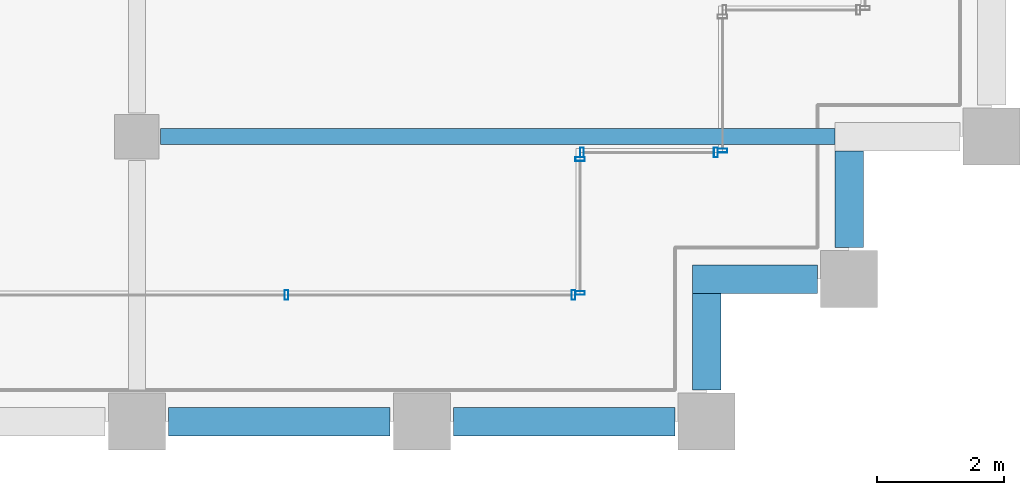
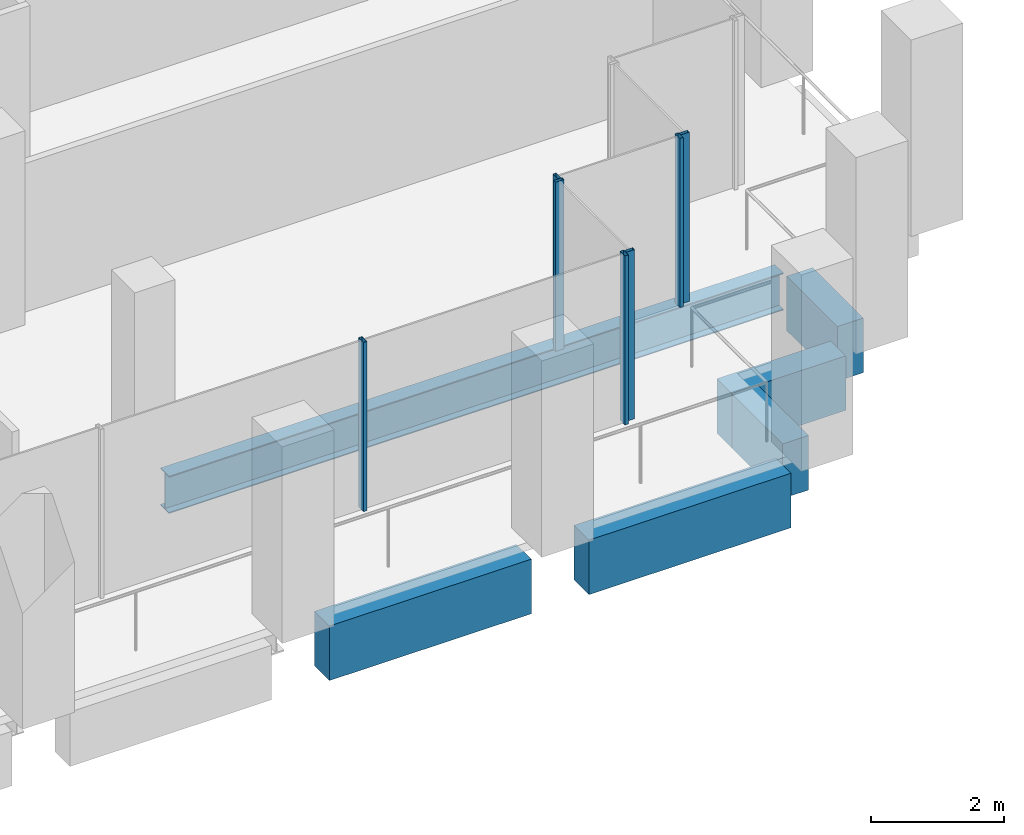
# One storey, part 12 of 44: 7 members, 6 beams, 4 elements without a shape of their own.
"""IFC4 building model written with IfcOpenShell, lengths in metres."""

from ifc_helpers import new_model, si_unit, direction, frame, origin, origin_2d, place, context, subcontext, project, spatial, rectangle, hollow_rectangle, i_section, extrude, material, material_profile, profile_set, type_object, element, aggregate, save


model = new_model("IFC4")

# Units and contexts
model_context = context("Model", 3, precision=1e-05, world=origin(), true_north=direction((0.0, 1.0)))
body_context = subcontext(model_context, "Body", "Model", "MODEL_VIEW")
ifc_project = project(units=[si_unit("LENGTHUNIT", "METRE"), si_unit("AREAUNIT", "SQUARE_METRE"), si_unit("VOLUMEUNIT", "CUBIC_METRE"), si_unit("PLANEANGLEUNIT", "RADIAN"), si_unit("MASSUNIT", "GRAM", prefix="KILO")], contexts=[model_context])

# Site, building, storey
site_placement = place(None, origin())
site = spatial("IfcSite", under=ifc_project, at=site_placement, CompositionType="ELEMENT")
building_placement = place(site_placement, origin())
building = spatial("IfcBuilding", under=site, at=building_placement, Name="Altepetl Exchange Towers", CompositionType="ELEMENT")
storey_placement = place(building_placement, frame((0.0, 0.0, 143.800048828125)))
storey = spatial("IfcBuildingStorey", under=building, at=storey_placement, Name="L35", CompositionType="ELEMENT", Elevation=143.800048828125)

# Beam
ifc_material_1 = material(Name="Steel S355", Category="steel")
ifc_material_profile_1 = material_profile(ifc_material_1, i_section(OverallWidth=0.25390625, OverallDepth=0.68408203125, WebThickness=0.012451171875, FlangeThickness=0.018798828125, at=origin_2d()), Name="W27X94")
ifc_profile_set_1 = profile_set([ifc_material_profile_1], Name="Steel S355")
beam_type_1 = type_object("IfcBeamType", Name="Floor beam W27X94", PredefinedType="BEAM", material=ifc_profile_set_1)
beam_1_placement = place(storey_placement, frame((58.875, 31.5, -0.491943359375), z_axis=(1.0, 0.0, 0.0), x_axis=(0.0, 1.0, 0.0)))
element("IfcBeam", 1, at=beam_1_placement, inside=storey, type_object=beam_type_1, Name="bm:A:L35:006", PredefinedType="BEAM", context=body_context, shape_type="SweptSolid", body=[
    extrude(i_section(OverallWidth=0.25390625, OverallDepth=0.68408203125, WebThickness=0.012451171875, FlangeThickness=0.018798828125, at=origin_2d()), origin(), (0.0, 0.0, 1.0), 10.64990234375),
])

# Curtain wall, members
ifc_material_2 = material(Name="Aluminium 6063-T6 glazing", Category="aluminium")
curtain_wall_type = type_object("IfcCurtainWallType", Name="Loggia glazing system", PredefinedType="NOTDEFINED", material=ifc_material_2)
curtain_wall_1_placement = place(storey_placement, origin())
curtain_wall_1 = element("IfcCurtainWall", 2, at=curtain_wall_1_placement, inside=storey, type_object=curtain_wall_type, Name="CW1 run", PredefinedType="NOTDEFINED")
ifc_material_3 = material(Name="Aluminium 6063-T6", Category="aluminium")
ifc_material_profile_2 = material_profile(ifc_material_3, hollow_rectangle(XDim=0.06005859375, YDim=0.14990234375, WallThickness=0.0029296875, at=origin_2d()), Name="Mullion 60x150 aluminium")
ifc_profile_set_2 = profile_set([ifc_material_profile_2], Name="Aluminium 6063-T6")
member_type = type_object("IfcMemberType", Name="Mullion 60x150 aluminium", PredefinedType="MULLION", material=ifc_profile_set_2)
member_1_placement = place(storey_placement, frame((60.8642578125, 29.0, 0.0)))
member_1 = element("IfcMember", 3, at=member_1_placement, type_object=member_type, Name="MU1 mullion", PredefinedType="MULLION", context=body_context, shape_type="SweptSolid", body=[
    extrude(hollow_rectangle(XDim=0.06005859375, YDim=0.14990234375, WallThickness=0.0029296875, at=origin_2d()), origin(), (0.0, 0.0, 1.0), 3.099853515625),
])
member_2_placement = place(storey_placement, frame((65.39501953125, 29.0, 0.0)))
member_2 = element("IfcMember", 4, at=member_2_placement, type_object=member_type, Name="MU1 mullion", PredefinedType="MULLION", context=body_context, shape_type="SweptSolid", body=[
    extrude(hollow_rectangle(XDim=0.06005859375, YDim=0.14990234375, WallThickness=0.0029296875, at=origin_2d()), origin(), (0.0, 0.0, 1.0), 3.099853515625),
])
aggregate(curtain_wall_1, [member_1, member_2])

curtain_wall_2_placement = place(storey_placement, origin())
curtain_wall_2 = element("IfcCurtainWall", 5, at=curtain_wall_2_placement, inside=storey, type_object=curtain_wall_type, Name="CW1 run", PredefinedType="NOTDEFINED")
member_3_placement = place(storey_placement, frame((65.5, 29.030029296875, 0.0), z_axis=(0.0, 0.0, 1.0), x_axis=(0.0, 1.0, 0.0)))
member_3 = element("IfcMember", 6, at=member_3_placement, type_object=member_type, Name="MU1 mullion", PredefinedType="MULLION", context=body_context, shape_type="SweptSolid", body=[
    extrude(hollow_rectangle(XDim=0.06005859375, YDim=0.14990234375, WallThickness=0.0029296875, at=origin_2d()), origin(), (0.0, 0.0, 1.0), 3.099853515625),
])
member_4_placement = place(storey_placement, frame((65.5, 31.14501953125, 0.0), z_axis=(0.0, 0.0, 1.0), x_axis=(0.0, 1.0, 0.0)))
member_4 = element("IfcMember", 7, at=member_4_placement, type_object=member_type, Name="MU1 mullion", PredefinedType="MULLION", context=body_context, shape_type="SweptSolid", body=[
    extrude(hollow_rectangle(XDim=0.06005859375, YDim=0.14990234375, WallThickness=0.0029296875, at=origin_2d()), origin(), (0.0, 0.0, 1.0), 3.099853515625),
])
aggregate(curtain_wall_2, [member_3, member_4])

curtain_wall_3_placement = place(storey_placement, origin())
curtain_wall_3 = element("IfcCurtainWall", 8, at=curtain_wall_3_placement, inside=storey, type_object=curtain_wall_type, Name="CW1 run", PredefinedType="NOTDEFINED")
member_5_placement = place(storey_placement, frame((65.530029296875, 31.25, 0.0)))
member_5 = element("IfcMember", 9, at=member_5_placement, type_object=member_type, Name="MU1 mullion", PredefinedType="MULLION", context=body_context, shape_type="SweptSolid", body=[
    extrude(hollow_rectangle(XDim=0.06005859375, YDim=0.14990234375, WallThickness=0.0029296875, at=origin_2d()), origin(), (0.0, 0.0, 1.0), 3.099853515625),
])
member_6_placement = place(storey_placement, frame((67.64501953125, 31.25, 0.0)))
member_6 = element("IfcMember", 10, at=member_6_placement, type_object=member_type, Name="MU1 mullion", PredefinedType="MULLION", context=body_context, shape_type="SweptSolid", body=[
    extrude(hollow_rectangle(XDim=0.06005859375, YDim=0.14990234375, WallThickness=0.0029296875, at=origin_2d()), origin(), (0.0, 0.0, 1.0), 3.099853515625),
])
aggregate(curtain_wall_3, [member_5, member_6])

# Curtain wall, member
curtain_wall_4_placement = place(storey_placement, origin())
curtain_wall_4 = element("IfcCurtainWall", 11, at=curtain_wall_4_placement, inside=storey, type_object=curtain_wall_type, Name="CW1 run", PredefinedType="NOTDEFINED")
member_7_placement = place(storey_placement, frame((67.75, 31.280029296875, 0.0), z_axis=(0.0, 0.0, 1.0), x_axis=(0.0, 1.0, 0.0)))
member_7 = element("IfcMember", 12, at=member_7_placement, type_object=member_type, Name="MU1 mullion", PredefinedType="MULLION", context=body_context, shape_type="SweptSolid", body=[
    extrude(hollow_rectangle(XDim=0.06005859375, YDim=0.14990234375, WallThickness=0.0029296875, at=origin_2d()), origin(), (0.0, 0.0, 1.0), 3.099853515625),
])
aggregate(curtain_wall_4, [member_7])

# Beams
ifc_material_4 = material(Name="Concrete C50/60 precast with cantera amarilla facing", Category="concrete")
ifc_material_profile_3 = material_profile(ifc_material_4, rectangle(XDim=0.449951171875, YDim=1.0, at=origin_2d()), Name="450 x 1000")
ifc_profile_set_3 = profile_set([ifc_material_profile_3], Name="Concrete C50/60 precast with cantera amarilla facing")
beam_type_2 = type_object("IfcBeamType", Name="Spandrel beam 450x1000 cantera amarilla", PredefinedType="SPANDREL", material=ifc_profile_set_3)
for number, where, z_axis, x_axis, name in (
    (13, (59.0, 27.0, -0.650146484375), (1.0, 0.0, 0.0), (0.0, 1.0, 0.0), "sp:A:L35:006"),
    (14, (63.5, 27.0, -0.650146484375), (1.0, 0.0, 0.0), (0.0, 1.0, 0.0), "sp:A:L35:007"),
):
    element("IfcBeam", number, at=place(storey_placement, frame(where, z_axis=z_axis, x_axis=x_axis)), inside=storey, type_object=beam_type_2, Name=name, PredefinedType="SPANDREL", context=body_context, shape_type="SweptSolid", body=[
        extrude(rectangle(XDim=0.449951171875, YDim=1.0, at=origin_2d()), origin(), (0.0, 0.0, 1.0), 3.5),
    ])
beam_2_placement = place(storey_placement, frame((67.5, 27.5, -0.650146484375), z_axis=(0.0, 1.0, 0.0), x_axis=(-1.0, 0.0, 0.0)))
element("IfcBeam", 15, at=beam_2_placement, inside=storey, type_object=beam_type_2, Name="sp:A:L35:008", PredefinedType="SPANDREL", context=body_context, shape_type="SweptSolid", body=[
    extrude(rectangle(XDim=0.449951171875, YDim=1.0, at=origin_2d()), origin(), (0.0, 0.0, 1.0), 1.52490234375),
])
beam_3_placement = place(storey_placement, frame((67.27490234375, 29.25, -0.650146484375), z_axis=(1.0, 0.0, 0.0), x_axis=(0.0, 1.0, 0.0)))
element("IfcBeam", 16, at=beam_3_placement, inside=storey, type_object=beam_type_2, Name="sp:A:L35:009", PredefinedType="SPANDREL", context=body_context, shape_type="SweptSolid", body=[
    extrude(rectangle(XDim=0.449951171875, YDim=1.0, at=origin_2d()), origin(), (0.0, 0.0, 1.0), 1.97509765625),
])
beam_4_placement = place(storey_placement, frame((69.75, 29.75, -0.650146484375), z_axis=(0.0, 1.0, 0.0), x_axis=(-1.0, 0.0, 0.0)))
element("IfcBeam", 17, at=beam_4_placement, inside=storey, type_object=beam_type_2, Name="sp:A:L35:010", PredefinedType="SPANDREL", context=body_context, shape_type="SweptSolid", body=[
    extrude(rectangle(XDim=0.449951171875, YDim=1.0, at=origin_2d()), origin(), (0.0, 0.0, 1.0), 1.52490234375),
])

save(model, "model.ifc")
